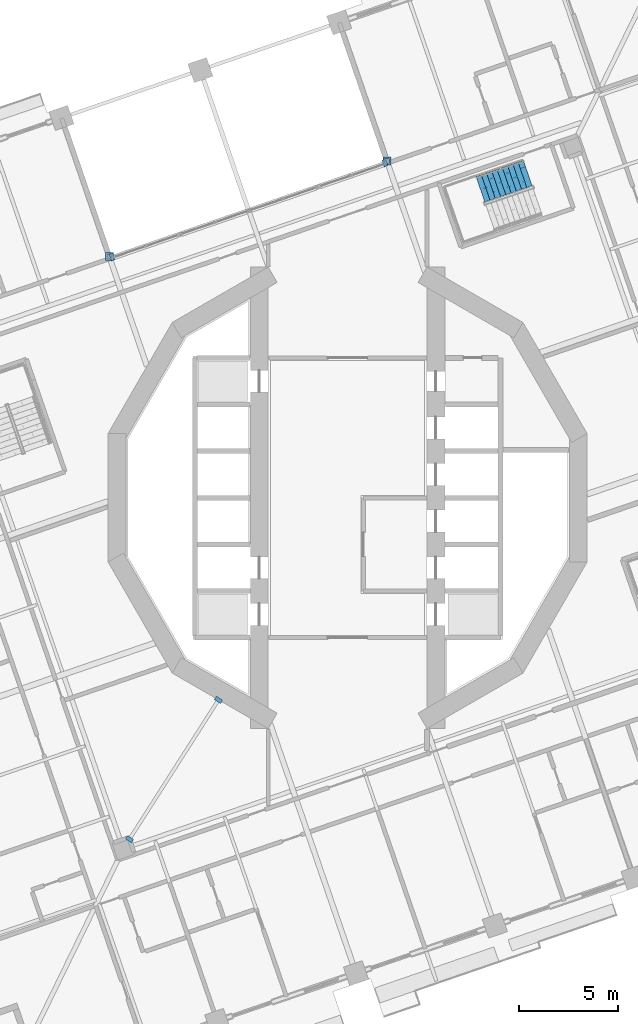
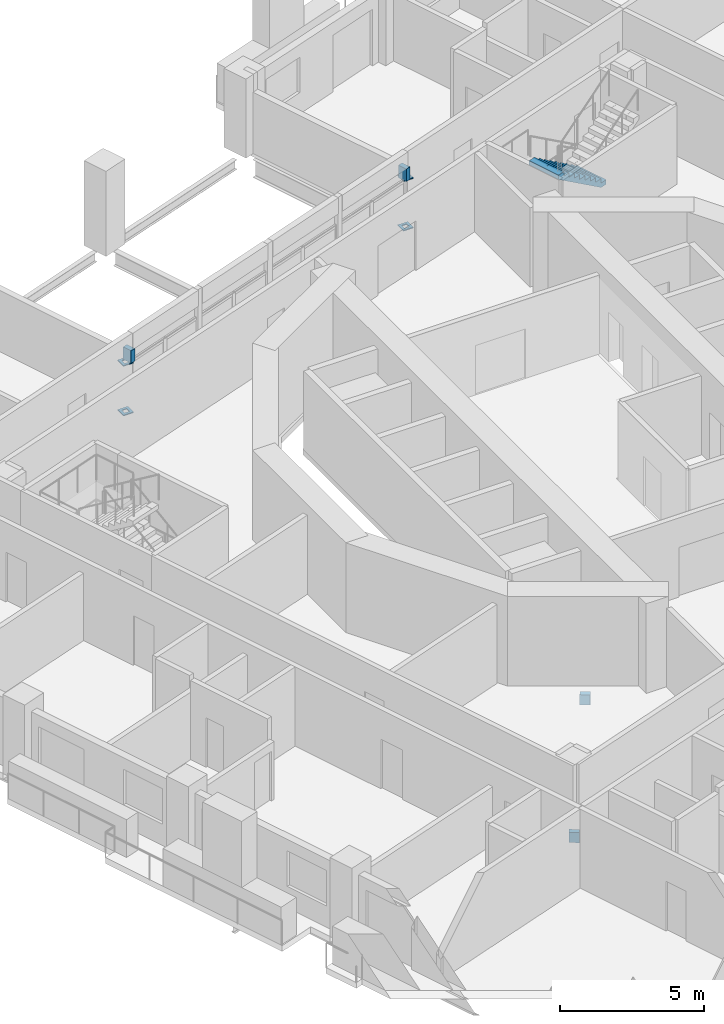
# One storey, part 14 of 22: 8 discrete accessories, 1 stair flight, 1 element without a shape of its own.
"""IFC4 building model written with IfcOpenShell, lengths in metres."""

from ifc_helpers import new_model, si_unit, direction, frame, origin, place, context, subcontext, project, spatial, polyline, outline, extrude, material, layer, layer_set, type_object, element, aggregate, save


model = new_model("IFC4")

# Units and contexts
model_context = context("Model", 3, precision=1e-05, world=origin(), true_north=direction((0.0, 1.0)))
body_context = subcontext(model_context, "Body", "Model", "MODEL_VIEW")
ifc_project = project(units=[si_unit("LENGTHUNIT", "METRE"), si_unit("AREAUNIT", "SQUARE_METRE"), si_unit("VOLUMEUNIT", "CUBIC_METRE"), si_unit("PLANEANGLEUNIT", "RADIAN"), si_unit("MASSUNIT", "GRAM", prefix="KILO")], contexts=[model_context])

# Site, building, storey
site_placement = place(None, origin())
site = spatial("IfcSite", under=ifc_project, at=site_placement, CompositionType="ELEMENT")
building_placement = place(site_placement, origin())
building = spatial("IfcBuilding", under=site, at=building_placement, Name="Cantera Rosa Tower", CompositionType="ELEMENT")
storey_placement = place(building_placement, frame((0.0, 0.0, 138.300048828125)))
storey = spatial("IfcBuildingStorey", under=building, at=storey_placement, Name="L29", CompositionType="ELEMENT", Elevation=138.300048828125)

# Stair, stair flight
ifc_material_1 = material(Name="Concrete C35/45", Category="concrete")
stair_type = type_object("IfcStairType", Name="EXIT STAIR 1350 DOGLEG", PredefinedType="HALF_TURN_STAIR", material=ifc_material_1)
stair_placement = place(storey_placement, origin())
stair = element("IfcStair", 1, at=stair_placement, inside=storey, type_object=stair_type, Name="L29 ST-21", PredefinedType="HALF_TURN_STAIR")
ifc_material_2 = material(Name="Concrete C35/45", Category="concrete")
stair_flight_type = type_object("IfcStairFlightType", Name="STAIR FLIGHT 1350 R20x190", PredefinedType="STRAIGHT", material=ifc_material_2)
stair_flight_placement = place(storey_placement, frame((9.07958984375, 16.364990234375, 0.0), z_axis=(0.0, 0.0, 1.0), x_axis=(-0.945518575599, -0.325568154457, 0.0)))
stair_flight = element("IfcStairFlight", 2, at=stair_flight_placement, type_object=stair_flight_type, Name="ST-21 flight 1", NumberOfRisers=10, NumberOfTreads=9, PredefinedType="STRAIGHT", RiserHeight=0.19, TreadLength=0.28, context=body_context, shape_type="SweptSolid", body=[
    extrude(outline(polyline([(0.0, 0.0), (0.0, 0.18994140625), (0.280029296875, 0.18994140625), (0.280029296875, 0.3798828125), (0.56005859375, 0.3798828125), (0.56005859375, 0.570068359375), (0.840087890625, 0.570068359375), (0.840087890625, 0.760009765625), (1.1201171875, 0.760009765625), (1.1201171875, 0.949951171875), (1.39990234375, 0.949951171875), (1.39990234375, 1.139892578125), (1.679931640625, 1.139892578125), (1.679931640625, 1.330078125), (1.9599609375, 1.330078125), (1.9599609375, 1.52001953125), (2.239990234375, 1.52001953125), (2.239990234375, 1.7099609375), (2.52001953125, 1.7099609375), (2.52001953125, 1.89990234375), (2.52001953125, 1.52880859375), (0.266845703125, 0.0), (0.0, 0.0)])), frame((0.0, 0.675048828125, 0.0), z_axis=(0.0, -1.0, 0.0), x_axis=(1.0, 0.0, 0.0)), (0.0, 0.0, 1.0), 0.3359375),
    extrude(outline(polyline([(0.0, 0.0), (0.0, 0.18994140625), (0.280029296875, 0.18994140625), (0.280029296875, 0.3798828125), (0.56005859375, 0.3798828125), (0.56005859375, 0.570068359375), (0.840087890625, 0.570068359375), (0.840087890625, 0.760009765625), (1.1201171875, 0.760009765625), (1.1201171875, 0.949951171875), (1.39990234375, 0.949951171875), (1.39990234375, 1.139892578125), (1.679931640625, 1.139892578125), (1.679931640625, 1.330078125), (1.9599609375, 1.330078125), (1.9599609375, 1.52001953125), (2.239990234375, 1.52001953125), (2.239990234375, 1.7099609375), (2.52001953125, 1.7099609375), (2.52001953125, 1.89990234375), (2.52001953125, 1.52880859375), (0.266845703125, 0.0), (0.0, 0.0)])), frame((0.0, 0.337158203125, 0.0), z_axis=(0.0, -1.0, 0.0), x_axis=(1.0, 0.0, 0.0)), (0.0, 0.0, 1.0), 0.3359375),
    extrude(outline(polyline([(0.0, 0.0), (0.0, 0.18994140625), (0.280029296875, 0.18994140625), (0.280029296875, 0.3798828125), (0.56005859375, 0.3798828125), (0.56005859375, 0.570068359375), (0.840087890625, 0.570068359375), (0.840087890625, 0.760009765625), (1.1201171875, 0.760009765625), (1.1201171875, 0.949951171875), (1.39990234375, 0.949951171875), (1.39990234375, 1.139892578125), (1.679931640625, 1.139892578125), (1.679931640625, 1.330078125), (1.9599609375, 1.330078125), (1.9599609375, 1.52001953125), (2.239990234375, 1.52001953125), (2.239990234375, 1.7099609375), (2.52001953125, 1.7099609375), (2.52001953125, 1.89990234375), (2.52001953125, 1.52880859375), (0.266845703125, 0.0), (0.0, 0.0)])), frame((0.0, -0.000732421875, 0.0), z_axis=(0.0, -1.0, 0.0), x_axis=(1.0, 0.0, 0.0)), (0.0, 0.0, 1.0), 0.3359375),
    extrude(outline(polyline([(0.0, 0.0), (0.0, 0.18994140625), (0.280029296875, 0.18994140625), (0.280029296875, 0.3798828125), (0.56005859375, 0.3798828125), (0.56005859375, 0.570068359375), (0.840087890625, 0.570068359375), (0.840087890625, 0.760009765625), (1.1201171875, 0.760009765625), (1.1201171875, 0.949951171875), (1.39990234375, 0.949951171875), (1.39990234375, 1.139892578125), (1.679931640625, 1.139892578125), (1.679931640625, 1.330078125), (1.9599609375, 1.330078125), (1.9599609375, 1.52001953125), (2.239990234375, 1.52001953125), (2.239990234375, 1.7099609375), (2.52001953125, 1.7099609375), (2.52001953125, 1.89990234375), (2.52001953125, 1.52880859375), (0.266845703125, 0.0), (0.0, 0.0)])), frame((0.0, -0.338623046875, 0.0), z_axis=(0.0, -1.0, 0.0), x_axis=(1.0, 0.0, 0.0)), (0.0, 0.0, 1.0), 0.3359375),
])
aggregate(stair, [stair_flight])

# Discrete accessories
ifc_material_3 = material(Name="Steel ASTM A992 (Fy 345 MPa)", Category="steel")
ifc_layer = layer(ifc_material_3, 0.0400390625)
ifc_layer_set = layer_set([ifc_layer], Name="STEEL BEARING PLATE 40")
discrete_accessory_type = type_object("IfcDiscreteAccessoryType", Name="STEEL BEARING PLATE 40", PredefinedType="ANCHORPLATE", material=ifc_layer_set)
discrete_accessory_1_placement = place(storey_placement, frame((0.0, 0.0, -0.72802734375)))
element("IfcDiscreteAccessory", 3, at=discrete_accessory_1_placement, inside=storey, type_object=discrete_accessory_type, Name="BEARING PLATE PG-Z2-01 end 1 L29", PredefinedType="ANCHORPLATE", context=body_context, shape_type="SweptSolid", body=[
    extrude(outline(polyline([(-11.09619140625, -17.02783203125), (-11.203857421875, -17.1962890625), (-10.8955078125, -17.393310546875), (-10.787841796875, -17.224853515625), (-11.09619140625, -17.02783203125)])), origin(), (0.0, 0.0, 1.0), 0.427978515625),
])
discrete_accessory_2_placement = place(storey_placement, frame((0.0, 0.0, -0.72802734375)))
element("IfcDiscreteAccessory", 4, at=discrete_accessory_2_placement, inside=storey, type_object=discrete_accessory_type, Name="BEARING PLATE PG-Z2-01 end 2 L29", PredefinedType="ANCHORPLATE", context=body_context, shape_type="SweptSolid", body=[
    extrude(outline(polyline([(-6.40673828125, -10.367919921875), (-6.29931640625, -10.19921875), (-6.607666015625, -10.002197265625), (-6.71533203125, -10.170654296875), (-6.40673828125, -10.367919921875)])), origin(), (0.0, 0.0, 1.0), 0.427978515625),
])
for number, where, name in (
    (5, (0.0, 0.0, 0.0), "POST PLATE L29-1F"),
    (6, (0.0, 0.0, 2.099853515625), "POST PLATE L29-1T"),
):
    element("IfcDiscreteAccessory", number, at=place(storey_placement, frame(where)), inside=storey, type_object=discrete_accessory_type, Name=name, PredefinedType="ANCHORPLATE", context=body_context, shape_type="SweptSolid", body=[
        extrude(outline(polyline([(1.783203125, 16.770263671875), (2.18310546875, 16.770263671875), (2.18310546875, 17.170166015625), (1.783203125, 17.170166015625), (1.783203125, 16.770263671875)]), holes=[polyline([(1.883056640625, 16.8701171875), (2.0830078125, 16.8701171875), (2.0830078125, 17.0703125), (1.883056640625, 17.0703125), (1.883056640625, 16.8701171875)])]), origin(), (0.0, 0.0, 1.0), 0.0400390625),
    ])
for number, where, name in (
    (7, (0.0, 0.0, 0.0), "POST PLATE L29-2F"),
    (8, (0.0, 0.0, 2.099853515625), "POST PLATE L29-2T"),
):
    element("IfcDiscreteAccessory", number, at=place(storey_placement, frame(where)), inside=storey, type_object=discrete_accessory_type, Name=name, PredefinedType="ANCHORPLATE", context=body_context, shape_type="SweptSolid", body=[
        extrude(outline(polyline([(-12.210693359375, 11.951904296875), (-11.810546875, 11.951904296875), (-11.810546875, 12.351806640625), (-12.210693359375, 12.351806640625), (-12.210693359375, 11.951904296875)]), holes=[polyline([(-12.110595703125, 12.0517578125), (-11.91064453125, 12.0517578125), (-11.91064453125, 12.251708984375), (-12.110595703125, 12.251708984375), (-12.110595703125, 12.0517578125)])]), origin(), (0.0, 0.0, 1.0), 0.0400390625),
    ])
discrete_accessory_3_placement = place(storey_placement, frame((0.0, 0.0, 2.139892578125)))
element("IfcDiscreteAccessory", 9, at=discrete_accessory_3_placement, inside=storey, type_object=discrete_accessory_type, Name="LINTEL PLATE L29-1", PredefinedType="ANCHORPLATE", context=body_context, shape_type="SweptSolid", body=[
    extrude(outline(polyline([(1.84619140625, 16.676513671875), (2.035400390625, 16.74169921875), (1.916015625, 17.087890625), (1.72705078125, 17.022705078125), (1.84619140625, 16.676513671875)])), origin(), (0.0, 0.0, 1.0), 0.528076171875),
])
discrete_accessory_4_placement = place(storey_placement, frame((0.0, 0.0, 2.139892578125)))
element("IfcDiscreteAccessory", 10, at=discrete_accessory_4_placement, inside=storey, type_object=discrete_accessory_type, Name="LINTEL PLATE L29-2", PredefinedType="ANCHORPLATE", context=body_context, shape_type="SweptSolid", body=[
    extrude(outline(polyline([(-11.841064453125, 12.350830078125), (-12.0302734375, 12.28564453125), (-11.9111328125, 11.939697265625), (-11.721923828125, 12.004638671875), (-11.841064453125, 12.350830078125)])), origin(), (0.0, 0.0, 1.0), 0.528076171875),
])

save(model, "model.ifc")
